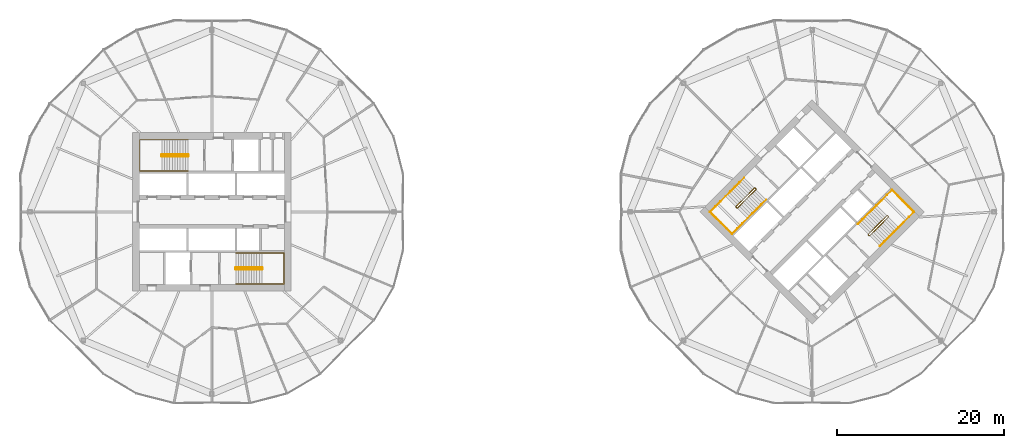
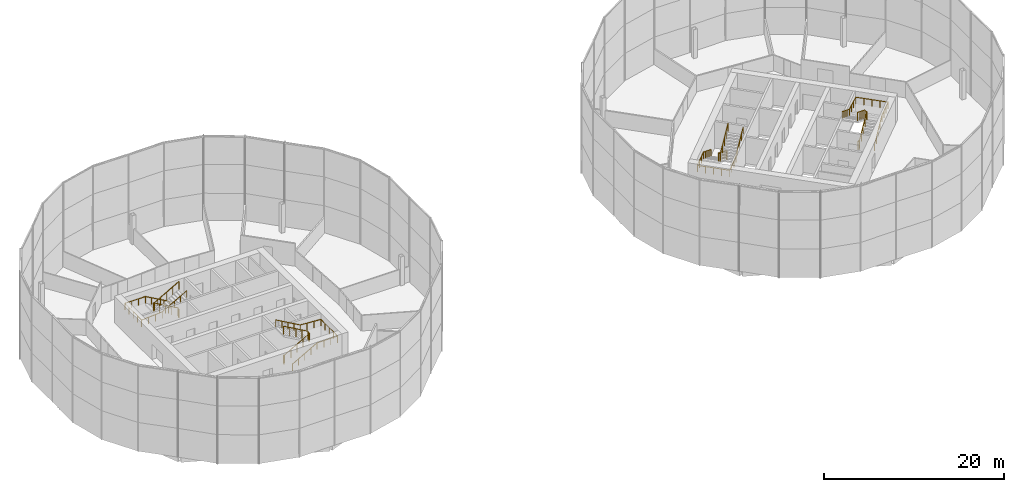
# One storey, part 25 of 25: 8 railings.
"""IFC4 building model written with IfcOpenShell, lengths in metres."""

from ifc_helpers import new_model, si_unit, direction, frame, origin, origin_2d, place, context, subcontext, project, spatial, circle, extrude, material, type_object, element, save


model = new_model("IFC4")

# Units and contexts
model_context = context("Model", 3, precision=1e-05, world=origin(), true_north=direction((0.0, 1.0)))
body_context = subcontext(model_context, "Body", "Model", "MODEL_VIEW")
ifc_project = project(units=[si_unit("LENGTHUNIT", "METRE"), si_unit("AREAUNIT", "SQUARE_METRE"), si_unit("VOLUMEUNIT", "CUBIC_METRE"), si_unit("PLANEANGLEUNIT", "RADIAN"), si_unit("MASSUNIT", "GRAM", prefix="KILO")], contexts=[model_context])

# Site, building, storey
site_placement = place(None, origin())
site = spatial("IfcSite", under=ifc_project, at=site_placement, CompositionType="ELEMENT")
building_placement = place(site_placement, origin())
building = spatial("IfcBuilding", under=site, at=building_placement, Name="Ogive Gate Towers", CompositionType="ELEMENT")
storey_placement = place(building_placement, frame((0.0, 0.0, 44.10009765625)))
storey = spatial("IfcBuildingStorey", under=building, at=storey_placement, Name="L09", CompositionType="ELEMENT", Elevation=44.10009765625)

# Railings
ifc_material = material(Name="Stainless steel", Category="steel")
railing_type_1 = type_object("IfcRailingType", Name="Stair guard 1100", PredefinedType="GUARDRAIL", material=ifc_material)
railing_1_placement = place(storey_placement, frame((-38.81494140625, 6.860107421875, 0.0)))
element("IfcRailing", 1, at=railing_1_placement, inside=storey, type_object=railing_type_1, Name="L09 ST1 stair guard 1", PredefinedType="GUARDRAIL", context=body_context, shape_type="SweptSolid", body=[
    extrude(circle(Radius=0.02392578125, at=origin_2d()), frame((0.0, 0.0, 1.076171875), z_axis=(0.0, -1.0, 0.0), x_axis=(1.0, 0.0, 0.0)), (0.0, 0.0, 1.0), 0.14501953125),
    extrude(circle(Radius=0.02392578125, at=origin_2d()), frame((0.0, -0.14501953125, 1.076171875), z_axis=(-0.186679794065, 0.726685247142, 0.661119660934), x_axis=(-0.968551454522, -0.24881334358, 0.0)), (0.0, 0.0, 1.0), 0.26806640625),
    extrude(circle(Radius=0.02392578125, at=origin_2d()), frame((-0.050048828125, 0.0498046875, 1.25341796875), z_axis=(-0.870572935281, 0.0, 0.492039393094), x_axis=(0.0, -1.0, 0.0)), (0.0, 0.0, 1.0), 3.602783203125),
    extrude(circle(Radius=0.02392578125, at=origin_2d()), frame((-3.1865234375, 0.0498046875, 3.02587890625), z_axis=(-0.707106781187, -0.707106781187, 0.0), x_axis=(0.707106781187, -0.707106781187, 0.0)), (0.0, 0.0, 1.0), 0.0703125),
    extrude(circle(Radius=0.02392578125, at=origin_2d()), frame((-3.236328125, 0.0, 3.02587890625), z_axis=(0.0, -1.0, 0.0), x_axis=(1.0, 0.0, 0.0)), (0.0, 0.0, 1.0), 0.14501953125),
    extrude(circle(Radius=0.02392578125, at=origin_2d()), frame((-3.236328125, -0.14501953125, 3.02587890625), z_axis=(0.261041864531, -0.262321481514, 0.929001929653), x_axis=(0.708833529934, 0.705375805398, 0.0)), (0.0, 0.0, 1.0), 0.190673828125),
    extrude(circle(Radius=0.02392578125, at=origin_2d()), frame((-3.1865234375, -0.195068359375, 3.203125), z_axis=(0.870572935281, 0.0, 0.492039393094), x_axis=(0.0, 1.0, 0.0)), (0.0, 0.0, 1.0), 3.602783203125),
    extrude(circle(Radius=0.02099609375, at=origin_2d()), origin(), (0.0, 0.0, 1.0), 1.052001953125),
    extrude(circle(Radius=0.02099609375, at=origin_2d()), frame((0.0, -0.14501953125, 0.0)), (0.0, 0.0, 1.0), 1.052001953125),
    extrude(circle(Radius=0.02099609375, at=origin_2d()), frame((-0.050048828125, 0.0498046875, 0.17724609375)), (0.0, 0.0, 1.0), 1.052001953125),
    extrude(circle(Radius=0.02099609375, at=origin_2d()), frame((-0.834228515625, 0.0498046875, 0.620361328125)), (0.0, 0.0, 1.0), 1.052001953125),
    extrude(circle(Radius=0.02099609375, at=origin_2d()), frame((-1.6181640625, 0.0498046875, 1.0634765625)), (0.0, 0.0, 1.0), 1.052001953125),
    extrude(circle(Radius=0.02099609375, at=origin_2d()), frame((-2.40234375, 0.0498046875, 1.5068359375)), (0.0, 0.0, 1.0), 1.052001953125),
    extrude(circle(Radius=0.02099609375, at=origin_2d()), frame((-3.1865234375, 0.0498046875, 1.949951171875)), (0.0, 0.0, 1.0), 1.052001953125),
    extrude(circle(Radius=0.02099609375, at=origin_2d()), frame((-3.236328125, 0.0, 1.949951171875)), (0.0, 0.0, 1.0), 1.052001953125),
    extrude(circle(Radius=0.02099609375, at=origin_2d()), frame((-3.236328125, -0.14501953125, 1.949951171875)), (0.0, 0.0, 1.0), 1.052001953125),
    extrude(circle(Radius=0.02099609375, at=origin_2d()), frame((-3.1865234375, -0.195068359375, 2.127197265625)), (0.0, 0.0, 1.0), 1.052001953125),
    extrude(circle(Radius=0.02099609375, at=origin_2d()), frame((-2.40234375, -0.195068359375, 2.5703125)), (0.0, 0.0, 1.0), 1.052001953125),
    extrude(circle(Radius=0.02099609375, at=origin_2d()), frame((-1.6181640625, -0.195068359375, 3.013671875)), (0.0, 0.0, 1.0), 1.052001953125),
    extrude(circle(Radius=0.02099609375, at=origin_2d()), frame((-0.834228515625, -0.195068359375, 3.456787109375)), (0.0, 0.0, 1.0), 1.052001953125),
    extrude(circle(Radius=0.02099609375, at=origin_2d()), frame((-0.050048828125, -0.195068359375, 3.89990234375)), (0.0, 0.0, 1.0), 1.052001953125),
])
railing_2_placement = place(storey_placement, frame((-33.18505859375, -6.860107421875, 0.0)))
element("IfcRailing", 2, at=railing_2_placement, inside=storey, type_object=railing_type_1, Name="L09 ST2 stair guard 1", PredefinedType="GUARDRAIL", context=body_context, shape_type="SweptSolid", body=[
    extrude(circle(Radius=0.02392578125, at=origin_2d()), frame((0.0, 0.0, 1.076171875), z_axis=(0.0, 1.0, 0.0), x_axis=(-1.0, 0.0, 0.0)), (0.0, 0.0, 1.0), 0.14501953125),
    extrude(circle(Radius=0.02392578125, at=origin_2d()), frame((0.0, 0.14501953125, 1.076171875), z_axis=(0.186679794065, -0.726685247142, 0.661119660934), x_axis=(0.968551454522, 0.24881334358, 0.0)), (0.0, 0.0, 1.0), 0.26806640625),
    extrude(circle(Radius=0.02392578125, at=origin_2d()), frame((0.050048828125, -0.0498046875, 1.25341796875), z_axis=(0.870572935281, 0.0, 0.492039393094), x_axis=(0.0, 1.0, 0.0)), (0.0, 0.0, 1.0), 3.602783203125),
    extrude(circle(Radius=0.02392578125, at=origin_2d()), frame((3.1865234375, -0.0498046875, 3.02587890625), z_axis=(0.707106781187, 0.707106781187, 0.0), x_axis=(-0.707106781187, 0.707106781187, 0.0)), (0.0, 0.0, 1.0), 0.0703125),
    extrude(circle(Radius=0.02392578125, at=origin_2d()), frame((3.236328125, 0.0, 3.02587890625), z_axis=(0.0, 1.0, 0.0), x_axis=(-1.0, 0.0, 0.0)), (0.0, 0.0, 1.0), 0.14501953125),
    extrude(circle(Radius=0.02392578125, at=origin_2d()), frame((3.236328125, 0.14501953125, 3.02587890625), z_axis=(-0.261041864531, 0.262321481514, 0.929001929653), x_axis=(-0.708833529934, -0.705375805398, 0.0)), (0.0, 0.0, 1.0), 0.190673828125),
    extrude(circle(Radius=0.02392578125, at=origin_2d()), frame((3.1865234375, 0.195068359375, 3.203125), z_axis=(-0.870572935281, 0.0, 0.492039393094), x_axis=(0.0, -1.0, 0.0)), (0.0, 0.0, 1.0), 3.602783203125),
    extrude(circle(Radius=0.02099609375, at=origin_2d()), origin(), (0.0, 0.0, 1.0), 1.052001953125),
    extrude(circle(Radius=0.02099609375, at=origin_2d()), frame((0.0, 0.14501953125, 0.0)), (0.0, 0.0, 1.0), 1.052001953125),
    extrude(circle(Radius=0.02099609375, at=origin_2d()), frame((0.050048828125, -0.0498046875, 0.17724609375)), (0.0, 0.0, 1.0), 1.052001953125),
    extrude(circle(Radius=0.02099609375, at=origin_2d()), frame((0.834228515625, -0.0498046875, 0.620361328125)), (0.0, 0.0, 1.0), 1.052001953125),
    extrude(circle(Radius=0.02099609375, at=origin_2d()), frame((1.6181640625, -0.0498046875, 1.0634765625)), (0.0, 0.0, 1.0), 1.052001953125),
    extrude(circle(Radius=0.02099609375, at=origin_2d()), frame((2.40234375, -0.0498046875, 1.5068359375)), (0.0, 0.0, 1.0), 1.052001953125),
    extrude(circle(Radius=0.02099609375, at=origin_2d()), frame((3.1865234375, -0.0498046875, 1.949951171875)), (0.0, 0.0, 1.0), 1.052001953125),
    extrude(circle(Radius=0.02099609375, at=origin_2d()), frame((3.236328125, 0.0, 1.949951171875)), (0.0, 0.0, 1.0), 1.052001953125),
    extrude(circle(Radius=0.02099609375, at=origin_2d()), frame((3.236328125, 0.14501953125, 1.949951171875)), (0.0, 0.0, 1.0), 1.052001953125),
    extrude(circle(Radius=0.02099609375, at=origin_2d()), frame((3.1865234375, 0.195068359375, 2.127197265625)), (0.0, 0.0, 1.0), 1.052001953125),
    extrude(circle(Radius=0.02099609375, at=origin_2d()), frame((2.40234375, 0.195068359375, 2.5703125)), (0.0, 0.0, 1.0), 1.052001953125),
    extrude(circle(Radius=0.02099609375, at=origin_2d()), frame((1.6181640625, 0.195068359375, 3.013671875)), (0.0, 0.0, 1.0), 1.052001953125),
    extrude(circle(Radius=0.02099609375, at=origin_2d()), frame((0.834228515625, 0.195068359375, 3.456787109375)), (0.0, 0.0, 1.0), 1.052001953125),
    extrude(circle(Radius=0.02099609375, at=origin_2d()), frame((0.050048828125, 0.195068359375, 3.89990234375)), (0.0, 0.0, 1.0), 1.052001953125),
])
railing_3_placement = place(storey_placement, frame((29.15869140625, 2.8603515625, 0.0)))
element("IfcRailing", 3, at=railing_3_placement, inside=storey, type_object=railing_type_1, Name="L09 ST1 stair guard 1", PredefinedType="GUARDRAIL", context=body_context, shape_type="SweptSolid", body=[
    extrude(circle(Radius=0.02392578125, at=origin_2d()), frame((0.0, 0.0, 1.076171875), z_axis=(0.707106781187, -0.707106781187, 0.0), x_axis=(0.707106781187, 0.707106781187, 0.0)), (0.0, 0.0, 1.0), 0.14501953125),
    extrude(circle(Radius=0.02392578125, at=origin_2d()), frame((0.1025390625, -0.1025390625, 1.076171875), z_axis=(-0.645571447971, 0.382425963537, 0.661050594114), x_axis=(-0.509669330572, -0.860370369942, 0.0)), (0.0, 0.0, 1.0), 0.26806640625),
    extrude(circle(Radius=0.02392578125, at=origin_2d()), frame((-0.070556640625, 0.0, 1.25341796875), z_axis=(-0.61558473135, -0.61558473135, 0.49204763698), x_axis=(0.707106781187, -0.707106781187, 0.0)), (0.0, 0.0, 1.0), 3.602783203125),
    extrude(circle(Radius=0.02392578125, at=origin_2d()), frame((-2.288330078125, -2.2177734375, 3.02587890625), z_axis=(0.0, -1.0, 0.0), x_axis=(1.0, 0.0, 0.0)), (0.0, 0.0, 1.0), 0.07080078125),
    extrude(circle(Radius=0.02392578125, at=origin_2d()), frame((-2.288330078125, -2.28857421875, 3.02587890625), z_axis=(0.707106781187, -0.707106781187, 0.0), x_axis=(0.707106781187, 0.707106781187, 0.0)), (0.0, 0.0, 1.0), 0.14501953125),
    extrude(circle(Radius=0.02392578125, at=origin_2d()), frame((-2.185791015625, -2.39111328125, 3.02587890625), z_axis=(0.369845645421, 0.0, 0.929093213065), x_axis=(0.0, 1.0, 0.0)), (0.0, 0.0, 1.0), 0.190673828125),
    extrude(circle(Radius=0.02392578125, at=origin_2d()), frame((-2.115234375, -2.39111328125, 3.203125), z_axis=(0.61558473135, 0.61558473135, 0.49204763698), x_axis=(-0.707106781187, 0.707106781187, 0.0)), (0.0, 0.0, 1.0), 3.602783203125),
    extrude(circle(Radius=0.02099609375, at=origin_2d()), origin(), (0.0, 0.0, 1.0), 1.052001953125),
    extrude(circle(Radius=0.02099609375, at=origin_2d()), frame((0.1025390625, -0.1025390625, 0.0)), (0.0, 0.0, 1.0), 1.052001953125),
    extrude(circle(Radius=0.02099609375, at=origin_2d()), frame((-0.070556640625, 0.0, 0.17724609375)), (0.0, 0.0, 1.0), 1.052001953125),
    extrude(circle(Radius=0.02099609375, at=origin_2d()), frame((-0.625, -0.554443359375, 0.620361328125)), (0.0, 0.0, 1.0), 1.052001953125),
    extrude(circle(Radius=0.02099609375, at=origin_2d()), frame((-1.179443359375, -1.10888671875, 1.0634765625)), (0.0, 0.0, 1.0), 1.052001953125),
    extrude(circle(Radius=0.02099609375, at=origin_2d()), frame((-1.73388671875, -1.663330078125, 1.5068359375)), (0.0, 0.0, 1.0), 1.052001953125),
    extrude(circle(Radius=0.02099609375, at=origin_2d()), frame((-2.288330078125, -2.2177734375, 1.949951171875)), (0.0, 0.0, 1.0), 1.052001953125),
    extrude(circle(Radius=0.02099609375, at=origin_2d()), frame((-2.288330078125, -2.28857421875, 1.949951171875)), (0.0, 0.0, 1.0), 1.052001953125),
    extrude(circle(Radius=0.02099609375, at=origin_2d()), frame((-2.185791015625, -2.39111328125, 1.949951171875)), (0.0, 0.0, 1.0), 1.052001953125),
    extrude(circle(Radius=0.02099609375, at=origin_2d()), frame((-2.115234375, -2.39111328125, 2.127197265625)), (0.0, 0.0, 1.0), 1.052001953125),
    extrude(circle(Radius=0.02099609375, at=origin_2d()), frame((-1.560791015625, -1.836669921875, 2.5703125)), (0.0, 0.0, 1.0), 1.052001953125),
    extrude(circle(Radius=0.02099609375, at=origin_2d()), frame((-1.00634765625, -1.2822265625, 3.013671875)), (0.0, 0.0, 1.0), 1.052001953125),
    extrude(circle(Radius=0.02099609375, at=origin_2d()), frame((-0.451904296875, -0.727783203125, 3.456787109375)), (0.0, 0.0, 1.0), 1.052001953125),
    extrude(circle(Radius=0.02099609375, at=origin_2d()), frame((0.1025390625, -0.17333984375, 3.89990234375)), (0.0, 0.0, 1.0), 1.052001953125),
])
railing_4_placement = place(storey_placement, frame((42.84130859375, -2.8603515625, 0.0)))
element("IfcRailing", 4, at=railing_4_placement, inside=storey, type_object=railing_type_1, Name="L09 ST2 stair guard 1", PredefinedType="GUARDRAIL", context=body_context, shape_type="SweptSolid", body=[
    extrude(circle(Radius=0.02392578125, at=origin_2d()), frame((0.0, 0.0, 1.076171875), z_axis=(-0.707106781187, 0.707106781187, 0.0), x_axis=(-0.707106781187, -0.707106781187, 0.0)), (0.0, 0.0, 1.0), 0.14501953125),
    extrude(circle(Radius=0.02392578125, at=origin_2d()), frame((-0.1025390625, 0.1025390625, 1.076171875), z_axis=(0.645571447971, -0.382425963537, 0.661050594114), x_axis=(0.509669330572, 0.860370369942, 0.0)), (0.0, 0.0, 1.0), 0.26806640625),
    extrude(circle(Radius=0.02392578125, at=origin_2d()), frame((0.070556640625, 0.0, 1.25341796875), z_axis=(0.61558473135, 0.61558473135, 0.49204763698), x_axis=(-0.707106781187, 0.707106781187, 0.0)), (0.0, 0.0, 1.0), 3.602783203125),
    extrude(circle(Radius=0.02392578125, at=origin_2d()), frame((2.288330078125, 2.2177734375, 3.02587890625), z_axis=(0.0, 1.0, 0.0), x_axis=(-1.0, 0.0, 0.0)), (0.0, 0.0, 1.0), 0.07080078125),
    extrude(circle(Radius=0.02392578125, at=origin_2d()), frame((2.288330078125, 2.28857421875, 3.02587890625), z_axis=(-0.707106781187, 0.707106781187, 0.0), x_axis=(-0.707106781187, -0.707106781187, 0.0)), (0.0, 0.0, 1.0), 0.14501953125),
    extrude(circle(Radius=0.02392578125, at=origin_2d()), frame((2.185791015625, 2.39111328125, 3.02587890625), z_axis=(-0.369845645421, 0.0, 0.929093213065), x_axis=(0.0, -1.0, 0.0)), (0.0, 0.0, 1.0), 0.190673828125),
    extrude(circle(Radius=0.02392578125, at=origin_2d()), frame((2.115234375, 2.39111328125, 3.203125), z_axis=(-0.61558473135, -0.61558473135, 0.49204763698), x_axis=(0.707106781187, -0.707106781187, 0.0)), (0.0, 0.0, 1.0), 3.602783203125),
    extrude(circle(Radius=0.02099609375, at=origin_2d()), origin(), (0.0, 0.0, 1.0), 1.052001953125),
    extrude(circle(Radius=0.02099609375, at=origin_2d()), frame((-0.1025390625, 0.1025390625, 0.0)), (0.0, 0.0, 1.0), 1.052001953125),
    extrude(circle(Radius=0.02099609375, at=origin_2d()), frame((0.070556640625, 0.0, 0.17724609375)), (0.0, 0.0, 1.0), 1.052001953125),
    extrude(circle(Radius=0.02099609375, at=origin_2d()), frame((0.625, 0.554443359375, 0.620361328125)), (0.0, 0.0, 1.0), 1.052001953125),
    extrude(circle(Radius=0.02099609375, at=origin_2d()), frame((1.179443359375, 1.10888671875, 1.0634765625)), (0.0, 0.0, 1.0), 1.052001953125),
    extrude(circle(Radius=0.02099609375, at=origin_2d()), frame((1.73388671875, 1.663330078125, 1.5068359375)), (0.0, 0.0, 1.0), 1.052001953125),
    extrude(circle(Radius=0.02099609375, at=origin_2d()), frame((2.288330078125, 2.2177734375, 1.949951171875)), (0.0, 0.0, 1.0), 1.052001953125),
    extrude(circle(Radius=0.02099609375, at=origin_2d()), frame((2.288330078125, 2.28857421875, 1.949951171875)), (0.0, 0.0, 1.0), 1.052001953125),
    extrude(circle(Radius=0.02099609375, at=origin_2d()), frame((2.185791015625, 2.39111328125, 1.949951171875)), (0.0, 0.0, 1.0), 1.052001953125),
    extrude(circle(Radius=0.02099609375, at=origin_2d()), frame((2.115234375, 2.39111328125, 2.127197265625)), (0.0, 0.0, 1.0), 1.052001953125),
    extrude(circle(Radius=0.02099609375, at=origin_2d()), frame((1.560791015625, 1.836669921875, 2.5703125)), (0.0, 0.0, 1.0), 1.052001953125),
    extrude(circle(Radius=0.02099609375, at=origin_2d()), frame((1.00634765625, 1.2822265625, 3.013671875)), (0.0, 0.0, 1.0), 1.052001953125),
    extrude(circle(Radius=0.02099609375, at=origin_2d()), frame((0.451904296875, 0.727783203125, 3.456787109375)), (0.0, 0.0, 1.0), 1.052001953125),
    extrude(circle(Radius=0.02099609375, at=origin_2d()), frame((-0.1025390625, 0.17333984375, 3.89990234375)), (0.0, 0.0, 1.0), 1.052001953125),
])
railing_type_2 = type_object("IfcRailingType", Name="Stair handrail 900", PredefinedType="HANDRAIL", material=ifc_material)
railing_5_placement = place(storey_placement, frame((-38.864990234375, 8.64990234375, 0.17724609375)))
element("IfcRailing", 5, at=railing_5_placement, inside=storey, type_object=railing_type_2, Name="L09 ST1 stair handrail 1", PredefinedType="HANDRAIL", context=body_context, shape_type="SweptSolid", body=[
    extrude(circle(Radius=0.02392578125, at=origin_2d()), frame((0.0, 0.0, 0.8759765625), z_axis=(-0.870572935281, 0.0, 0.492039393094), x_axis=(0.0, -1.0, 0.0)), (0.0, 0.0, 1.0), 3.602783203125),
    extrude(circle(Radius=0.02392578125, at=origin_2d()), frame((-3.136474609375, 0.0, 2.6484375), z_axis=(-1.0, 0.0, 0.0), x_axis=(0.0, -1.0, 0.0)), (0.0, 0.0, 1.0), 2.6484375),
    extrude(circle(Radius=0.02392578125, at=origin_2d()), frame((-5.784912109375, 0.0, 2.6484375), z_axis=(0.0, -1.0, 0.0), x_axis=(1.0, 0.0, 0.0)), (0.0, 0.0, 1.0), 3.724853515625),
    extrude(circle(Radius=0.02392578125, at=origin_2d()), frame((-5.784912109375, -3.724853515625, 2.6484375), z_axis=(0.997768031817, 0.0, 0.066775404784), x_axis=(0.0, 1.0, 0.0)), (0.0, 0.0, 1.0), 2.654296875),
    extrude(circle(Radius=0.02392578125, at=origin_2d()), frame((-3.136474609375, -3.724853515625, 2.82568359375), z_axis=(0.870572935281, 0.0, 0.492039393094), x_axis=(0.0, 1.0, 0.0)), (0.0, 0.0, 1.0), 3.602783203125),
    extrude(circle(Radius=0.02099609375, at=origin_2d()), origin(), (0.0, 0.0, 1.0), 0.851806640625),
    extrude(circle(Radius=0.02099609375, at=origin_2d()), frame((-0.7841796875, 0.0, 0.443115234375)), (0.0, 0.0, 1.0), 0.851806640625),
    extrude(circle(Radius=0.02099609375, at=origin_2d()), frame((-1.568359375, 0.0, 0.88623046875)), (0.0, 0.0, 1.0), 0.851806640625),
    extrude(circle(Radius=0.02099609375, at=origin_2d()), frame((-2.352294921875, 0.0, 1.32958984375)), (0.0, 0.0, 1.0), 0.851806640625),
    extrude(circle(Radius=0.02099609375, at=origin_2d()), frame((-3.136474609375, 0.0, 1.772705078125)), (0.0, 0.0, 1.0), 0.851806640625),
    extrude(circle(Radius=0.02099609375, at=origin_2d()), frame((-4.019287109375, 0.0, 1.772705078125)), (0.0, 0.0, 1.0), 0.851806640625),
    extrude(circle(Radius=0.02099609375, at=origin_2d()), frame((-4.902099609375, 0.0, 1.772705078125)), (0.0, 0.0, 1.0), 0.851806640625),
    extrude(circle(Radius=0.02099609375, at=origin_2d()), frame((-5.784912109375, 0.0, 1.772705078125)), (0.0, 0.0, 1.0), 0.851806640625),
    extrude(circle(Radius=0.02099609375, at=origin_2d()), frame((-5.784912109375, -0.93115234375, 1.772705078125)), (0.0, 0.0, 1.0), 0.851806640625),
    extrude(circle(Radius=0.02099609375, at=origin_2d()), frame((-5.784912109375, -1.8623046875, 1.772705078125)), (0.0, 0.0, 1.0), 0.851806640625),
    extrude(circle(Radius=0.02099609375, at=origin_2d()), frame((-5.784912109375, -2.793701171875, 1.772705078125)), (0.0, 0.0, 1.0), 0.851806640625),
    extrude(circle(Radius=0.02099609375, at=origin_2d()), frame((-5.784912109375, -3.724853515625, 1.772705078125)), (0.0, 0.0, 1.0), 0.851806640625),
    extrude(circle(Radius=0.02099609375, at=origin_2d()), frame((-4.902099609375, -3.724853515625, 1.831787109375)), (0.0, 0.0, 1.0), 0.851806640625),
    extrude(circle(Radius=0.02099609375, at=origin_2d()), frame((-4.019287109375, -3.724853515625, 1.890869140625)), (0.0, 0.0, 1.0), 0.851806640625),
    extrude(circle(Radius=0.02099609375, at=origin_2d()), frame((-3.136474609375, -3.724853515625, 1.949951171875)), (0.0, 0.0, 1.0), 0.851806640625),
    extrude(circle(Radius=0.02099609375, at=origin_2d()), frame((-2.352294921875, -3.724853515625, 2.39306640625)), (0.0, 0.0, 1.0), 0.851806640625),
    extrude(circle(Radius=0.02099609375, at=origin_2d()), frame((-1.568359375, -3.724853515625, 2.83642578125)), (0.0, 0.0, 1.0), 0.851806640625),
    extrude(circle(Radius=0.02099609375, at=origin_2d()), frame((-0.7841796875, -3.724853515625, 3.279541015625)), (0.0, 0.0, 1.0), 0.851806640625),
    extrude(circle(Radius=0.02099609375, at=origin_2d()), frame((0.0, -3.724853515625, 3.72265625)), (0.0, 0.0, 1.0), 0.851806640625),
])
railing_6_placement = place(storey_placement, frame((-33.135009765625, -8.64990234375, 0.17724609375)))
element("IfcRailing", 6, at=railing_6_placement, inside=storey, type_object=railing_type_2, Name="L09 ST2 stair handrail 1", PredefinedType="HANDRAIL", context=body_context, shape_type="SweptSolid", body=[
    extrude(circle(Radius=0.02392578125, at=origin_2d()), frame((0.0, 0.0, 0.8759765625), z_axis=(0.870572935281, 0.0, 0.492039393094), x_axis=(0.0, 1.0, 0.0)), (0.0, 0.0, 1.0), 3.602783203125),
    extrude(circle(Radius=0.02392578125, at=origin_2d()), frame((3.136474609375, 0.0, 2.6484375), z_axis=(1.0, 0.0, 0.0), x_axis=(0.0, 1.0, 0.0)), (0.0, 0.0, 1.0), 2.6484375),
    extrude(circle(Radius=0.02392578125, at=origin_2d()), frame((5.784912109375, 0.0, 2.6484375), z_axis=(0.0, 1.0, 0.0), x_axis=(-1.0, 0.0, 0.0)), (0.0, 0.0, 1.0), 3.724853515625),
    extrude(circle(Radius=0.02392578125, at=origin_2d()), frame((5.784912109375, 3.724853515625, 2.6484375), z_axis=(-0.997768031817, 0.0, 0.066775404784), x_axis=(0.0, -1.0, 0.0)), (0.0, 0.0, 1.0), 2.654296875),
    extrude(circle(Radius=0.02392578125, at=origin_2d()), frame((3.136474609375, 3.724853515625, 2.82568359375), z_axis=(-0.870572935281, 0.0, 0.492039393094), x_axis=(0.0, -1.0, 0.0)), (0.0, 0.0, 1.0), 3.602783203125),
    extrude(circle(Radius=0.02099609375, at=origin_2d()), origin(), (0.0, 0.0, 1.0), 0.851806640625),
    extrude(circle(Radius=0.02099609375, at=origin_2d()), frame((0.7841796875, 0.0, 0.443115234375)), (0.0, 0.0, 1.0), 0.851806640625),
    extrude(circle(Radius=0.02099609375, at=origin_2d()), frame((1.568359375, 0.0, 0.88623046875)), (0.0, 0.0, 1.0), 0.851806640625),
    extrude(circle(Radius=0.02099609375, at=origin_2d()), frame((2.352294921875, 0.0, 1.32958984375)), (0.0, 0.0, 1.0), 0.851806640625),
    extrude(circle(Radius=0.02099609375, at=origin_2d()), frame((3.136474609375, 0.0, 1.772705078125)), (0.0, 0.0, 1.0), 0.851806640625),
    extrude(circle(Radius=0.02099609375, at=origin_2d()), frame((4.019287109375, 0.0, 1.772705078125)), (0.0, 0.0, 1.0), 0.851806640625),
    extrude(circle(Radius=0.02099609375, at=origin_2d()), frame((4.902099609375, 0.0, 1.772705078125)), (0.0, 0.0, 1.0), 0.851806640625),
    extrude(circle(Radius=0.02099609375, at=origin_2d()), frame((5.784912109375, 0.0, 1.772705078125)), (0.0, 0.0, 1.0), 0.851806640625),
    extrude(circle(Radius=0.02099609375, at=origin_2d()), frame((5.784912109375, 0.93115234375, 1.772705078125)), (0.0, 0.0, 1.0), 0.851806640625),
    extrude(circle(Radius=0.02099609375, at=origin_2d()), frame((5.784912109375, 1.8623046875, 1.772705078125)), (0.0, 0.0, 1.0), 0.851806640625),
    extrude(circle(Radius=0.02099609375, at=origin_2d()), frame((5.784912109375, 2.793701171875, 1.772705078125)), (0.0, 0.0, 1.0), 0.851806640625),
    extrude(circle(Radius=0.02099609375, at=origin_2d()), frame((5.784912109375, 3.724853515625, 1.772705078125)), (0.0, 0.0, 1.0), 0.851806640625),
    extrude(circle(Radius=0.02099609375, at=origin_2d()), frame((4.902099609375, 3.724853515625, 1.831787109375)), (0.0, 0.0, 1.0), 0.851806640625),
    extrude(circle(Radius=0.02099609375, at=origin_2d()), frame((4.019287109375, 3.724853515625, 1.890869140625)), (0.0, 0.0, 1.0), 0.851806640625),
    extrude(circle(Radius=0.02099609375, at=origin_2d()), frame((3.136474609375, 3.724853515625, 1.949951171875)), (0.0, 0.0, 1.0), 0.851806640625),
    extrude(circle(Radius=0.02099609375, at=origin_2d()), frame((2.352294921875, 3.724853515625, 2.39306640625)), (0.0, 0.0, 1.0), 0.851806640625),
    extrude(circle(Radius=0.02099609375, at=origin_2d()), frame((1.568359375, 3.724853515625, 2.83642578125)), (0.0, 0.0, 1.0), 0.851806640625),
    extrude(circle(Radius=0.02099609375, at=origin_2d()), frame((0.7841796875, 3.724853515625, 3.279541015625)), (0.0, 0.0, 1.0), 0.851806640625),
    extrude(circle(Radius=0.02099609375, at=origin_2d()), frame((0.0, 3.724853515625, 3.72265625)), (0.0, 0.0, 1.0), 0.851806640625),
])
railing_7_placement = place(storey_placement, frame((27.857666015625, 4.090576171875, 0.17724609375)))
element("IfcRailing", 7, at=railing_7_placement, inside=storey, type_object=railing_type_2, Name="L09 ST1 stair handrail 1", PredefinedType="HANDRAIL", context=body_context, shape_type="SweptSolid", body=[
    extrude(circle(Radius=0.02392578125, at=origin_2d()), frame((0.0, 0.0, 0.8759765625), z_axis=(-0.61558473135, -0.61558473135, 0.49204763698), x_axis=(0.707106781187, -0.707106781187, 0.0)), (0.0, 0.0, 1.0), 3.602783203125),
    extrude(circle(Radius=0.02392578125, at=origin_2d()), frame((-2.2177734375, -2.2177734375, 2.6484375), z_axis=(-0.707106781187, -0.707106781187, 0.0), x_axis=(0.707106781187, -0.707106781187, 0.0)), (0.0, 0.0, 1.0), 2.6484375),
    extrude(circle(Radius=0.02392578125, at=origin_2d()), frame((-4.090576171875, -4.090576171875, 2.6484375), z_axis=(0.707106781187, -0.707106781187, 0.0), x_axis=(0.707106781187, 0.707106781187, 0.0)), (0.0, 0.0, 1.0), 3.72509765625),
    extrude(circle(Radius=0.02392578125, at=origin_2d()), frame((-1.45654296875, -6.724609375, 2.6484375), z_axis=(0.705482886452, 0.705574853978, 0.066768423356), x_axis=(-0.70715286629, 0.70706069308, 0.0)), (0.0, 0.0, 1.0), 2.654541015625),
    extrude(circle(Radius=0.02392578125, at=origin_2d()), frame((0.416259765625, -4.8515625, 2.82568359375), z_axis=(0.615610411033, 0.615542642384, 0.4920681632), x_axis=(-0.70706785752, 0.70714570271, 0.0)), (0.0, 0.0, 1.0), 3.6025390625),
    extrude(circle(Radius=0.02099609375, at=origin_2d()), origin(), (0.0, 0.0, 1.0), 0.851806640625),
    extrude(circle(Radius=0.02099609375, at=origin_2d()), frame((-0.554443359375, -0.554443359375, 0.443115234375)), (0.0, 0.0, 1.0), 0.851806640625),
    extrude(circle(Radius=0.02099609375, at=origin_2d()), frame((-1.10888671875, -1.10888671875, 0.88623046875)), (0.0, 0.0, 1.0), 0.851806640625),
    extrude(circle(Radius=0.02099609375, at=origin_2d()), frame((-1.663330078125, -1.663330078125, 1.32958984375)), (0.0, 0.0, 1.0), 0.851806640625),
    extrude(circle(Radius=0.02099609375, at=origin_2d()), frame((-2.2177734375, -2.2177734375, 1.772705078125)), (0.0, 0.0, 1.0), 0.851806640625),
    extrude(circle(Radius=0.02099609375, at=origin_2d()), frame((-2.842041015625, -2.842041015625, 1.772705078125)), (0.0, 0.0, 1.0), 0.851806640625),
    extrude(circle(Radius=0.02099609375, at=origin_2d()), frame((-3.46630859375, -3.46630859375, 1.772705078125)), (0.0, 0.0, 1.0), 0.851806640625),
    extrude(circle(Radius=0.02099609375, at=origin_2d()), frame((-4.090576171875, -4.090576171875, 1.772705078125)), (0.0, 0.0, 1.0), 0.851806640625),
    extrude(circle(Radius=0.02099609375, at=origin_2d()), frame((-3.43212890625, -4.7490234375, 1.772705078125)), (0.0, 0.0, 1.0), 0.851806640625),
    extrude(circle(Radius=0.02099609375, at=origin_2d()), frame((-2.7734375, -5.40771484375, 1.772705078125)), (0.0, 0.0, 1.0), 0.851806640625),
    extrude(circle(Radius=0.02099609375, at=origin_2d()), frame((-2.114990234375, -6.066162109375, 1.772705078125)), (0.0, 0.0, 1.0), 0.851806640625),
    extrude(circle(Radius=0.02099609375, at=origin_2d()), frame((-1.45654296875, -6.724609375, 1.772705078125)), (0.0, 0.0, 1.0), 0.851806640625),
    extrude(circle(Radius=0.02099609375, at=origin_2d()), frame((-0.832275390625, -6.100341796875, 1.831787109375)), (0.0, 0.0, 1.0), 0.851806640625),
    extrude(circle(Radius=0.02099609375, at=origin_2d()), frame((-0.2080078125, -5.475830078125, 1.890869140625)), (0.0, 0.0, 1.0), 0.851806640625),
    extrude(circle(Radius=0.02099609375, at=origin_2d()), frame((0.416259765625, -4.8515625, 1.949951171875)), (0.0, 0.0, 1.0), 0.851806640625),
    extrude(circle(Radius=0.02099609375, at=origin_2d()), frame((0.970703125, -4.297119140625, 2.39306640625)), (0.0, 0.0, 1.0), 0.851806640625),
    extrude(circle(Radius=0.02099609375, at=origin_2d()), frame((1.525146484375, -3.74267578125, 2.83642578125)), (0.0, 0.0, 1.0), 0.851806640625),
    extrude(circle(Radius=0.02099609375, at=origin_2d()), frame((2.07958984375, -3.1884765625, 3.279541015625)), (0.0, 0.0, 1.0), 0.851806640625),
    extrude(circle(Radius=0.02099609375, at=origin_2d()), frame((2.634033203125, -2.634033203125, 3.72265625)), (0.0, 0.0, 1.0), 0.851806640625),
])
railing_8_placement = place(storey_placement, frame((44.142333984375, -4.090576171875, 0.17724609375)))
element("IfcRailing", 8, at=railing_8_placement, inside=storey, type_object=railing_type_2, Name="L09 ST2 stair handrail 1", PredefinedType="HANDRAIL", context=body_context, shape_type="SweptSolid", body=[
    extrude(circle(Radius=0.02392578125, at=origin_2d()), frame((0.0, 0.0, 0.8759765625), z_axis=(0.61558473135, 0.61558473135, 0.49204763698), x_axis=(-0.707106781187, 0.707106781187, 0.0)), (0.0, 0.0, 1.0), 3.602783203125),
    extrude(circle(Radius=0.02392578125, at=origin_2d()), frame((2.2177734375, 2.2177734375, 2.6484375), z_axis=(0.707106781187, 0.707106781187, 0.0), x_axis=(-0.707106781187, 0.707106781187, 0.0)), (0.0, 0.0, 1.0), 2.6484375),
    extrude(circle(Radius=0.02392578125, at=origin_2d()), frame((4.090576171875, 4.090576171875, 2.6484375), z_axis=(-0.707106781187, 0.707106781187, 0.0), x_axis=(-0.707106781187, -0.707106781187, 0.0)), (0.0, 0.0, 1.0), 3.72509765625),
    extrude(circle(Radius=0.02392578125, at=origin_2d()), frame((1.45654296875, 6.724609375, 2.6484375), z_axis=(-0.705482886452, -0.705574853978, 0.066768423356), x_axis=(0.70715286629, -0.70706069308, 0.0)), (0.0, 0.0, 1.0), 2.654541015625),
    extrude(circle(Radius=0.02392578125, at=origin_2d()), frame((-0.416259765625, 4.8515625, 2.82568359375), z_axis=(-0.615610411033, -0.615542642384, 0.4920681632), x_axis=(0.70706785752, -0.70714570271, 0.0)), (0.0, 0.0, 1.0), 3.6025390625),
    extrude(circle(Radius=0.02099609375, at=origin_2d()), origin(), (0.0, 0.0, 1.0), 0.851806640625),
    extrude(circle(Radius=0.02099609375, at=origin_2d()), frame((0.554443359375, 0.554443359375, 0.443115234375)), (0.0, 0.0, 1.0), 0.851806640625),
    extrude(circle(Radius=0.02099609375, at=origin_2d()), frame((1.10888671875, 1.10888671875, 0.88623046875)), (0.0, 0.0, 1.0), 0.851806640625),
    extrude(circle(Radius=0.02099609375, at=origin_2d()), frame((1.663330078125, 1.663330078125, 1.32958984375)), (0.0, 0.0, 1.0), 0.851806640625),
    extrude(circle(Radius=0.02099609375, at=origin_2d()), frame((2.2177734375, 2.2177734375, 1.772705078125)), (0.0, 0.0, 1.0), 0.851806640625),
    extrude(circle(Radius=0.02099609375, at=origin_2d()), frame((2.842041015625, 2.842041015625, 1.772705078125)), (0.0, 0.0, 1.0), 0.851806640625),
    extrude(circle(Radius=0.02099609375, at=origin_2d()), frame((3.46630859375, 3.46630859375, 1.772705078125)), (0.0, 0.0, 1.0), 0.851806640625),
    extrude(circle(Radius=0.02099609375, at=origin_2d()), frame((4.090576171875, 4.090576171875, 1.772705078125)), (0.0, 0.0, 1.0), 0.851806640625),
    extrude(circle(Radius=0.02099609375, at=origin_2d()), frame((3.43212890625, 4.7490234375, 1.772705078125)), (0.0, 0.0, 1.0), 0.851806640625),
    extrude(circle(Radius=0.02099609375, at=origin_2d()), frame((2.7734375, 5.40771484375, 1.772705078125)), (0.0, 0.0, 1.0), 0.851806640625),
    extrude(circle(Radius=0.02099609375, at=origin_2d()), frame((2.114990234375, 6.066162109375, 1.772705078125)), (0.0, 0.0, 1.0), 0.851806640625),
    extrude(circle(Radius=0.02099609375, at=origin_2d()), frame((1.45654296875, 6.724609375, 1.772705078125)), (0.0, 0.0, 1.0), 0.851806640625),
    extrude(circle(Radius=0.02099609375, at=origin_2d()), frame((0.832275390625, 6.100341796875, 1.831787109375)), (0.0, 0.0, 1.0), 0.851806640625),
    extrude(circle(Radius=0.02099609375, at=origin_2d()), frame((0.2080078125, 5.475830078125, 1.890869140625)), (0.0, 0.0, 1.0), 0.851806640625),
    extrude(circle(Radius=0.02099609375, at=origin_2d()), frame((-0.416259765625, 4.8515625, 1.949951171875)), (0.0, 0.0, 1.0), 0.851806640625),
    extrude(circle(Radius=0.02099609375, at=origin_2d()), frame((-0.970703125, 4.297119140625, 2.39306640625)), (0.0, 0.0, 1.0), 0.851806640625),
    extrude(circle(Radius=0.02099609375, at=origin_2d()), frame((-1.525146484375, 3.74267578125, 2.83642578125)), (0.0, 0.0, 1.0), 0.851806640625),
    extrude(circle(Radius=0.02099609375, at=origin_2d()), frame((-2.07958984375, 3.1884765625, 3.279541015625)), (0.0, 0.0, 1.0), 0.851806640625),
    extrude(circle(Radius=0.02099609375, at=origin_2d()), frame((-2.634033203125, 2.634033203125, 3.72265625)), (0.0, 0.0, 1.0), 0.851806640625),
])

save(model, "model.ifc")
